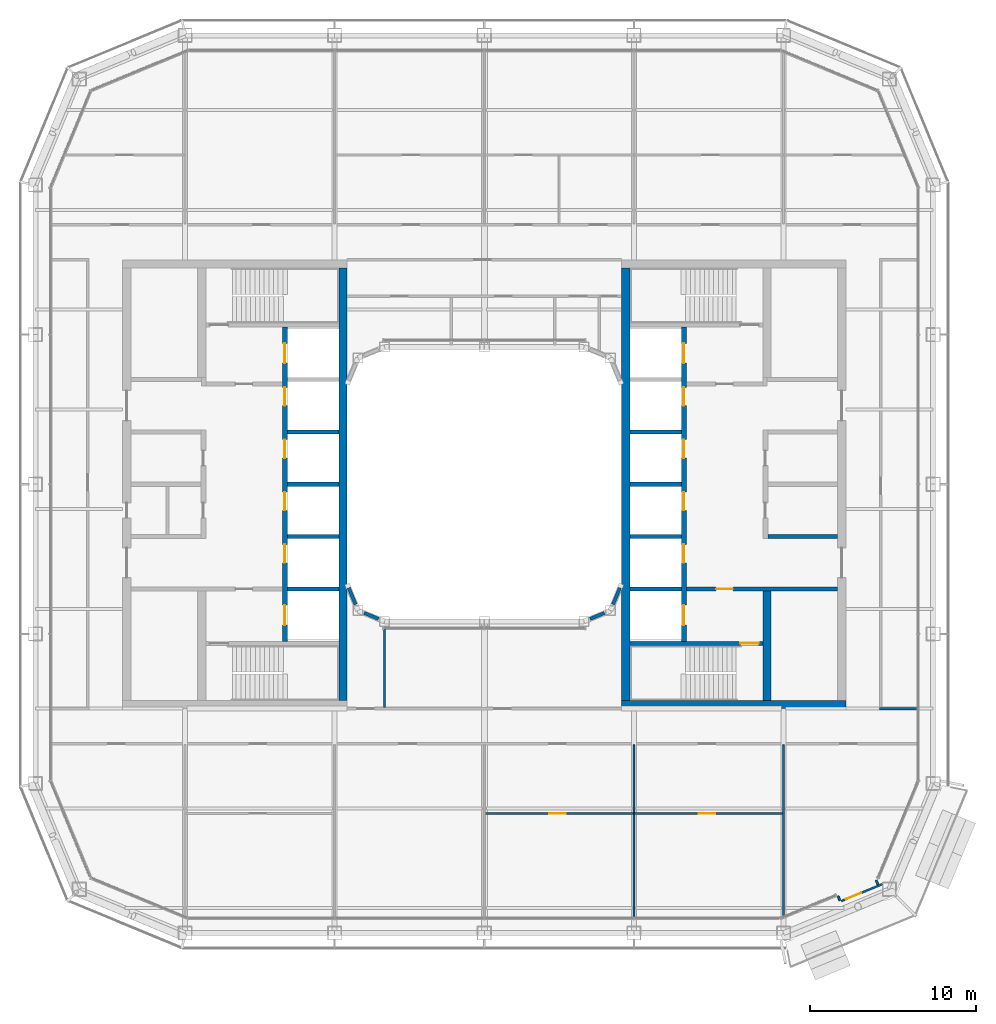
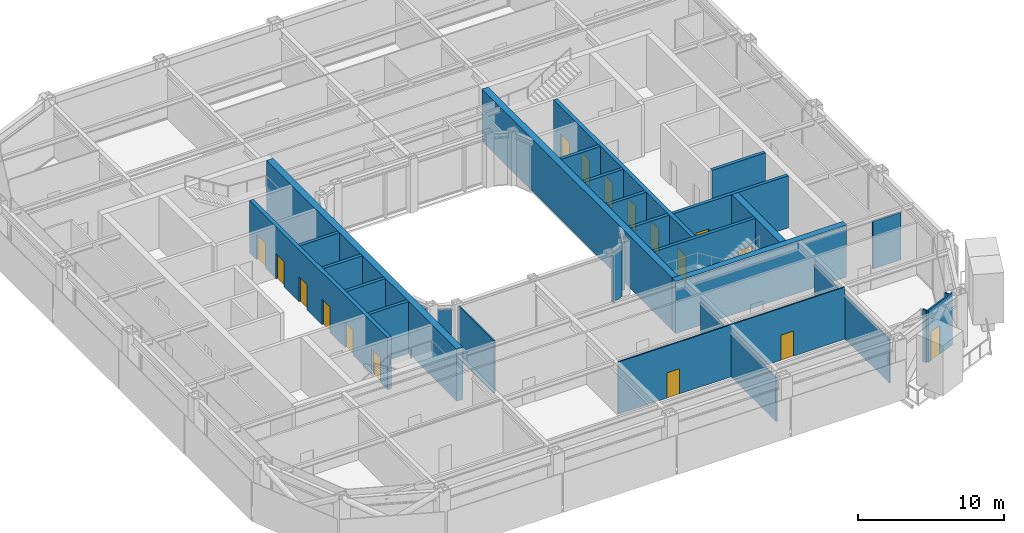
# One storey, part 13 of 22: 30 walls, 17 doors, 17 openings.
"""IFC4 building model written with IfcOpenShell, lengths in metres."""

from ifc_helpers import new_model, si_unit, direction, frame, frame_2d, origin, place, context, subcontext, project, spatial, rectangle, extrude, material, layer, layer_set, type_object, element, fill, save


model = new_model("IFC4")

# Units and contexts
model_context = context("Model", 3, precision=1e-05, world=origin(), true_north=direction((0.0, 1.0)))
body_context = subcontext(model_context, "Body", "Model", "MODEL_VIEW")
ifc_project = project(units=[si_unit("LENGTHUNIT", "METRE"), si_unit("AREAUNIT", "SQUARE_METRE"), si_unit("VOLUMEUNIT", "CUBIC_METRE"), si_unit("PLANEANGLEUNIT", "RADIAN"), si_unit("MASSUNIT", "GRAM", prefix="KILO")], contexts=[model_context])

# Site, building, storey
site_placement = place(None, origin())
site = spatial("IfcSite", under=ifc_project, at=site_placement, CompositionType="ELEMENT")
building_placement = place(site_placement, origin())
building = spatial("IfcBuilding", under=site, at=building_placement, Name="Siwar Civic Tower", CompositionType="ELEMENT")
storey_placement = place(building_placement, frame((0.0, 0.0, 201.699951171875)))
storey = spatial("IfcBuildingStorey", under=building, at=storey_placement, Name="L43", CompositionType="ELEMENT", Elevation=201.699951171875)

# Walls
ifc_material_1 = material(Name="Concrete C60/75", Category="concrete")
ifc_layer_1 = layer(ifc_material_1, 0.25)
ifc_layer_set_1 = layer_set([ifc_layer_1], Name="Concrete C60/75")
wall_type_1 = type_object("IfcWallType", Name="CORE-WALL-RC250", PredefinedType="SHEAR", material=ifc_layer_set_1)
for number, where, z_axis, x_axis, name in (
    (1, (-8.75, 0.0, 0.0), (0.0, 0.0, 1.0), (-1.0, 0.0, 0.0), "Core wall W"),
    (2, (-8.75, 3.14990234375, 0.0), (0.0, 0.0, 1.0), (-1.0, 0.0, 0.0), "Core wall W"),
    (3, (-8.75, -3.14990234375, 0.0), (0.0, 0.0, 1.0), (-1.0, 0.0, 0.0), "Core wall W"),
    (4, (-8.75, -6.300048828125, 0.0), (0.0, 0.0, 1.0), (-1.0, 0.0, 0.0), "Core wall W"),
):
    element("IfcWall", number, at=place(storey_placement, frame(where, z_axis=z_axis, x_axis=x_axis)), inside=storey, type_object=wall_type_1, Name=name, PredefinedType="SHEAR", context=body_context, shape_type="SweptSolid", body=[
        extrude(rectangle(XDim=3.10009765625, YDim=0.25, at=frame_2d((1.550048828125, 0.0))), origin(), (0.0, 0.0, 1.0), 4.35009765625),
    ])

# Wall, opening, door
wall_1_placement = place(storey_placement, frame((12.14990234375, -6.300048828125, 0.0), z_axis=(0.0, 0.0, 1.0), x_axis=(1.0, 0.0, 0.0)))
wall_1 = element("IfcWall", 5, at=wall_1_placement, inside=storey, type_object=wall_type_1, Name="Core wall E", PredefinedType="SHEAR", context=body_context, shape_type="SweptSolid", body=[
    extrude(rectangle(XDim=9.10009765625, YDim=0.25, at=frame_2d((4.550048828125, 0.0))), origin(), (0.0, 0.0, 1.0), 4.35009765625),
])
opening_1_placement = place(wall_1_placement, frame((1.800048828125, 0.0, 0.0)))
opening_1 = element("IfcOpeningElement", 6, at=opening_1_placement, cuts=wall_1, Name="Opening L43-CE02", PredefinedType="OPENING", context=body_context, shape_type="SweptSolid", body=[
    extrude(rectangle(XDim=1.0, YDim=2.10009765625, at=frame_2d((0.5, 1.050048828125))), frame((0.0, 0.135009765625, 0.0), z_axis=(0.0, -1.0, 0.0), x_axis=(1.0, 0.0, 0.0)), (0.0, 0.0, 1.0), 0.27001953125),
])
ifc_material_2 = material(Name="Steel door leaf", Category="steel")
door_type_1 = type_object("IfcDoorType", Name="CORE-DOOR-FD30S", OperationType="SINGLE_SWING_LEFT", PredefinedType="DOOR", material=ifc_material_2)
door_1_placement = place(opening_1_placement, origin())
door_1 = element("IfcDoor", 7, at=door_1_placement, inside=storey, type_object=door_type_1, Name="Service lobby door L43-CE02", OperationType="SINGLE_SWING_LEFT", OverallHeight=2.10009765625, OverallWidth=1.0, PredefinedType="DOOR", context=body_context, shape_type="SweptSolid", body=[
    extrude(rectangle(XDim=1.0, YDim=2.10009765625, at=frame_2d((0.5, 1.050048828125))), frame((0.0, 0.02490234375, 0.0), z_axis=(0.0, -1.0, 0.0), x_axis=(1.0, 0.0, 0.0)), (0.0, 0.0, 1.0), 0.050048828125),
])
fill(opening_1, door_1)

# Walls
wall_2_placement = place(storey_placement, frame((17.050048828125, -3.14990234375, 0.0), z_axis=(0.0, 0.0, 1.0), x_axis=(1.0, 0.0, 0.0)))
element("IfcWall", 8, at=wall_2_placement, inside=storey, type_object=wall_type_1, Name="Core wall E", PredefinedType="SHEAR", context=body_context, shape_type="SweptSolid", body=[
    extrude(rectangle(XDim=4.199951171875, YDim=0.25, at=frame_2d((2.10009765625, 0.0))), origin(), (0.0, 0.0, 1.0), 4.35009765625),
])
for number, where, z_axis, x_axis, name in (
    (9, (8.75, 0.0, 0.0), (0.0, 0.0, 1.0), (1.0, 0.0, 0.0), "Core wall E"),
    (10, (8.75, 3.14990234375, 0.0), (0.0, 0.0, 1.0), (1.0, 0.0, 0.0), "Core wall E"),
    (11, (8.75, -3.14990234375, 0.0), (0.0, 0.0, 1.0), (1.0, 0.0, 0.0), "Core wall E"),
    (12, (8.75, -6.300048828125, 0.0), (0.0, 0.0, 1.0), (1.0, 0.0, 0.0), "Core wall E"),
):
    element("IfcWall", number, at=place(storey_placement, frame(where, z_axis=z_axis, x_axis=x_axis)), inside=storey, type_object=wall_type_1, Name=name, PredefinedType="SHEAR", context=body_context, shape_type="SweptSolid", body=[
        extrude(rectangle(XDim=3.10009765625, YDim=0.25, at=frame_2d((1.550048828125, 0.0))), origin(), (0.0, 0.0, 1.0), 4.35009765625),
    ])

# Wall, opening, door
wall_3_placement = place(storey_placement, frame((8.75, -9.574951171875, 0.0), z_axis=(0.0, 0.0, 1.0), x_axis=(1.0, 0.0, 0.0)))
wall_3 = element("IfcWall", 13, at=wall_3_placement, inside=storey, type_object=wall_type_1, Name="Core wall E", PredefinedType="SHEAR", context=body_context, shape_type="SweptSolid", body=[
    extrude(rectangle(XDim=8.0, YDim=0.25, at=frame_2d((4.0, 0.0))), origin(), (0.0, 0.0, 1.0), 4.35009765625),
])
opening_2_placement = place(wall_3_placement, frame((6.64990234375, 0.0, 0.0)))
opening_2 = element("IfcOpeningElement", 14, at=opening_2_placement, cuts=wall_3, Name="Opening L43-CE04", PredefinedType="OPENING", context=body_context, shape_type="SweptSolid", body=[
    extrude(rectangle(XDim=1.10009765625, YDim=2.10009765625, at=frame_2d((0.550048828125, 1.050048828125))), frame((0.0, 0.135009765625, 0.0), z_axis=(0.0, -1.0, 0.0), x_axis=(1.0, 0.0, 0.0)), (0.0, 0.0, 1.0), 0.27001953125),
])
ifc_material_3 = material(Name="Steel door leaf", Category="steel")
door_type_2 = type_object("IfcDoorType", Name="CORE-DOOR-FD60S", OperationType="SINGLE_SWING_LEFT", PredefinedType="DOOR", material=ifc_material_3)
door_2_placement = place(opening_2_placement, origin())
door_2 = element("IfcDoor", 15, at=door_2_placement, inside=storey, type_object=door_type_2, Name="Stair door L43-CE04", OperationType="SINGLE_SWING_RIGHT", OverallHeight=2.10009765625, OverallWidth=1.10009765625, PredefinedType="DOOR", context=body_context, shape_type="SweptSolid", body=[
    extrude(rectangle(XDim=1.10009765625, YDim=2.10009765625, at=frame_2d((0.550048828125, 1.050048828125))), frame((0.0, 0.02490234375, 0.0), z_axis=(0.0, -1.0, 0.0), x_axis=(1.0, 0.0, 0.0)), (0.0, 0.0, 1.0), 0.050048828125),
])
fill(opening_2, door_2)

# Wall, openings, doors
ifc_material_4 = material(Name="Concrete C60/75", Category="concrete")
ifc_layer_2 = layer(ifc_material_4, 0.300048828125)
ifc_layer_set_2 = layer_set([ifc_layer_2], Name="Concrete C60/75")
wall_type_2 = type_object("IfcWallType", Name="CORE-WALL-RC300", PredefinedType="SHEAR", material=ifc_layer_set_2)
wall_4_placement = place(storey_placement, frame((-12.0, -9.449951171875, 0.0), z_axis=(0.0, 0.0, 1.0), x_axis=(0.0, 1.0, 0.0)))
wall_4 = element("IfcWall", 16, at=wall_4_placement, inside=storey, type_object=wall_type_2, Name="Core wall W", PredefinedType="SHEAR", context=body_context, shape_type="SweptSolid", body=[
    extrude(rectangle(XDim=18.89990234375, YDim=0.300048828125, at=frame_2d((9.449951171875, 0.0))), origin(), (0.0, 0.0, 1.0), 4.35009765625),
])
opening_3_placement = place(wall_4_placement, frame((4.72509765625, 0.0, 0.0)))
opening_3 = element("IfcOpeningElement", 17, at=opening_3_placement, cuts=wall_4, Name="Opening L43-CW07", PredefinedType="OPENING", context=body_context, shape_type="SweptSolid", body=[
    extrude(rectangle(XDim=1.10009765625, YDim=2.10009765625, at=frame_2d((0.550048828125, 1.050048828125))), frame((0.0, 0.16015625, 0.0), z_axis=(0.0, -1.0, 0.0), x_axis=(1.0, 0.0, 0.0)), (0.0, 0.0, 1.0), 0.320068359375),
])
opening_4_placement = place(wall_4_placement, frame((7.875, 0.0, 0.0)))
opening_4 = element("IfcOpeningElement", 18, at=opening_4_placement, cuts=wall_4, Name="Opening L43-CW08", PredefinedType="OPENING", context=body_context, shape_type="SweptSolid", body=[
    extrude(rectangle(XDim=1.10009765625, YDim=2.10009765625, at=frame_2d((0.550048828125, 1.050048828125))), frame((0.0, 0.16015625, 0.0), z_axis=(0.0, -1.0, 0.0), x_axis=(1.0, 0.0, 0.0)), (0.0, 0.0, 1.0), 0.320068359375),
])
opening_5_placement = place(wall_4_placement, frame((11.02490234375, 0.0, 0.0)))
opening_5 = element("IfcOpeningElement", 19, at=opening_5_placement, cuts=wall_4, Name="Opening L43-CW09", PredefinedType="OPENING", context=body_context, shape_type="SweptSolid", body=[
    extrude(rectangle(XDim=1.10009765625, YDim=2.10009765625, at=frame_2d((0.550048828125, 1.050048828125))), frame((0.0, 0.16015625, 0.0), z_axis=(0.0, -1.0, 0.0), x_axis=(1.0, 0.0, 0.0)), (0.0, 0.0, 1.0), 0.320068359375),
])
opening_6_placement = place(wall_4_placement, frame((14.175048828125, 0.0, 0.0)))
opening_6 = element("IfcOpeningElement", 20, at=opening_6_placement, cuts=wall_4, Name="Opening L43-CW10", PredefinedType="OPENING", context=body_context, shape_type="SweptSolid", body=[
    extrude(rectangle(XDim=1.10009765625, YDim=2.10009765625, at=frame_2d((0.550048828125, 1.050048828125))), frame((0.0, 0.16015625, 0.0), z_axis=(0.0, -1.0, 0.0), x_axis=(1.0, 0.0, 0.0)), (0.0, 0.0, 1.0), 0.320068359375),
])
opening_7_placement = place(wall_4_placement, frame((16.72509765625, 0.0, 0.0)))
opening_7 = element("IfcOpeningElement", 21, at=opening_7_placement, cuts=wall_4, Name="Opening L43-CW11", PredefinedType="OPENING", context=body_context, shape_type="SweptSolid", body=[
    extrude(rectangle(XDim=1.199951171875, YDim=2.10009765625, at=frame_2d((0.60009765625, 1.050048828125))), frame((0.0, 0.16015625, 0.0), z_axis=(0.0, -1.0, 0.0), x_axis=(1.0, 0.0, 0.0)), (0.0, 0.0, 1.0), 0.320068359375),
])
opening_8_placement = place(wall_4_placement, frame((0.97509765625, 0.0, 0.0)))
opening_8 = element("IfcOpeningElement", 22, at=opening_8_placement, cuts=wall_4, Name="Opening L43-CW12", PredefinedType="OPENING", context=body_context, shape_type="SweptSolid", body=[
    extrude(rectangle(XDim=1.199951171875, YDim=2.10009765625, at=frame_2d((0.60009765625, 1.050048828125))), frame((0.0, 0.16015625, 0.0), z_axis=(0.0, -1.0, 0.0), x_axis=(1.0, 0.0, 0.0)), (0.0, 0.0, 1.0), 0.320068359375),
])
ifc_material_5 = material(Name="Steel door leaf", Category="steel")
door_type_3 = type_object("IfcDoorType", Name="CORE-DOOR-LD", OperationType="DOUBLE_DOOR_SLIDING", PredefinedType="DOOR", material=ifc_material_5)
door_3_placement = place(opening_3_placement, origin())
door_3 = element("IfcDoor", 23, at=door_3_placement, inside=storey, type_object=door_type_3, Name="Landing door HR1 L43-CW07", OperationType="DOUBLE_DOOR_SLIDING", OverallHeight=2.10009765625, OverallWidth=1.10009765625, PredefinedType="DOOR", context=body_context, shape_type="SweptSolid", body=[
    extrude(rectangle(XDim=1.10009765625, YDim=2.10009765625, at=frame_2d((0.550048828125, 1.050048828125))), frame((0.0, 0.02490234375, 0.0), z_axis=(0.0, -1.0, 0.0), x_axis=(1.0, 0.0, 0.0)), (0.0, 0.0, 1.0), 0.050048828125),
])
fill(opening_3, door_3)
door_4_placement = place(opening_4_placement, origin())
door_4 = element("IfcDoor", 24, at=door_4_placement, inside=storey, type_object=door_type_3, Name="Landing door HR2 L43-CW08", OperationType="DOUBLE_DOOR_SLIDING", OverallHeight=2.10009765625, OverallWidth=1.10009765625, PredefinedType="DOOR", context=body_context, shape_type="SweptSolid", body=[
    extrude(rectangle(XDim=1.10009765625, YDim=2.10009765625, at=frame_2d((0.550048828125, 1.050048828125))), frame((0.0, 0.02490234375, 0.0), z_axis=(0.0, -1.0, 0.0), x_axis=(1.0, 0.0, 0.0)), (0.0, 0.0, 1.0), 0.050048828125),
])
fill(opening_4, door_4)
door_5_placement = place(opening_5_placement, origin())
door_5 = element("IfcDoor", 25, at=door_5_placement, inside=storey, type_object=door_type_3, Name="Landing door HR3 L43-CW09", OperationType="DOUBLE_DOOR_SLIDING", OverallHeight=2.10009765625, OverallWidth=1.10009765625, PredefinedType="DOOR", context=body_context, shape_type="SweptSolid", body=[
    extrude(rectangle(XDim=1.10009765625, YDim=2.10009765625, at=frame_2d((0.550048828125, 1.050048828125))), frame((0.0, 0.02490234375, 0.0), z_axis=(0.0, -1.0, 0.0), x_axis=(1.0, 0.0, 0.0)), (0.0, 0.0, 1.0), 0.050048828125),
])
fill(opening_5, door_5)
door_6_placement = place(opening_6_placement, origin())
door_6 = element("IfcDoor", 26, at=door_6_placement, inside=storey, type_object=door_type_3, Name="Landing door HR4 L43-CW10", OperationType="DOUBLE_DOOR_SLIDING", OverallHeight=2.10009765625, OverallWidth=1.10009765625, PredefinedType="DOOR", context=body_context, shape_type="SweptSolid", body=[
    extrude(rectangle(XDim=1.10009765625, YDim=2.10009765625, at=frame_2d((0.550048828125, 1.050048828125))), frame((0.0, 0.02490234375, 0.0), z_axis=(0.0, -1.0, 0.0), x_axis=(1.0, 0.0, 0.0)), (0.0, 0.0, 1.0), 0.050048828125),
])
fill(opening_6, door_6)
ifc_material_6 = material(Name="Steel door leaf", Category="steel")
door_type_4 = type_object("IfcDoorType", Name="CORE-DOOR-LDW", OperationType="DOUBLE_DOOR_SLIDING", PredefinedType="DOOR", material=ifc_material_6)
door_7_placement = place(opening_7_placement, origin())
door_7 = element("IfcDoor", 27, at=door_7_placement, inside=storey, type_object=door_type_4, Name="Landing door FF1 L43-CW11", OperationType="DOUBLE_DOOR_SLIDING", OverallHeight=2.10009765625, OverallWidth=1.199951171875, PredefinedType="DOOR", context=body_context, shape_type="SweptSolid", body=[
    extrude(rectangle(XDim=1.199951171875, YDim=2.10009765625, at=frame_2d((0.60009765625, 1.050048828125))), frame((0.0, 0.02490234375, 0.0), z_axis=(0.0, -1.0, 0.0), x_axis=(1.0, 0.0, 0.0)), (0.0, 0.0, 1.0), 0.050048828125),
])
fill(opening_7, door_7)
door_8_placement = place(opening_8_placement, origin())
door_8 = element("IfcDoor", 28, at=door_8_placement, inside=storey, type_object=door_type_4, Name="Landing door SV1 L43-CW12", OperationType="DOUBLE_DOOR_SLIDING", OverallHeight=2.10009765625, OverallWidth=1.199951171875, PredefinedType="DOOR", context=body_context, shape_type="SweptSolid", body=[
    extrude(rectangle(XDim=1.199951171875, YDim=2.10009765625, at=frame_2d((0.60009765625, 1.050048828125))), frame((0.0, 0.02490234375, 0.0), z_axis=(0.0, -1.0, 0.0), x_axis=(1.0, 0.0, 0.0)), (0.0, 0.0, 1.0), 0.050048828125),
])
fill(opening_8, door_8)

wall_5_placement = place(storey_placement, frame((12.0, -9.449951171875, 0.0), z_axis=(0.0, 0.0, 1.0), x_axis=(0.0, 1.0, 0.0)))
wall_5 = element("IfcWall", 29, at=wall_5_placement, inside=storey, type_object=wall_type_2, Name="Core wall E", PredefinedType="SHEAR", context=body_context, shape_type="SweptSolid", body=[
    extrude(rectangle(XDim=18.89990234375, YDim=0.300048828125, at=frame_2d((9.449951171875, 0.0))), origin(), (0.0, 0.0, 1.0), 4.35009765625),
])
opening_9_placement = place(wall_5_placement, frame((4.72509765625, 0.0, 0.0)))
opening_9 = element("IfcOpeningElement", 30, at=opening_9_placement, cuts=wall_5, Name="Opening L43-CE07", PredefinedType="OPENING", context=body_context, shape_type="SweptSolid", body=[
    extrude(rectangle(XDim=1.10009765625, YDim=2.10009765625, at=frame_2d((0.550048828125, 1.050048828125))), frame((0.0, 0.16015625, 0.0), z_axis=(0.0, -1.0, 0.0), x_axis=(1.0, 0.0, 0.0)), (0.0, 0.0, 1.0), 0.320068359375),
])
opening_10_placement = place(wall_5_placement, frame((7.875, 0.0, 0.0)))
opening_10 = element("IfcOpeningElement", 31, at=opening_10_placement, cuts=wall_5, Name="Opening L43-CE08", PredefinedType="OPENING", context=body_context, shape_type="SweptSolid", body=[
    extrude(rectangle(XDim=1.10009765625, YDim=2.10009765625, at=frame_2d((0.550048828125, 1.050048828125))), frame((0.0, 0.16015625, 0.0), z_axis=(0.0, -1.0, 0.0), x_axis=(1.0, 0.0, 0.0)), (0.0, 0.0, 1.0), 0.320068359375),
])
opening_11_placement = place(wall_5_placement, frame((11.02490234375, 0.0, 0.0)))
opening_11 = element("IfcOpeningElement", 32, at=opening_11_placement, cuts=wall_5, Name="Opening L43-CE09", PredefinedType="OPENING", context=body_context, shape_type="SweptSolid", body=[
    extrude(rectangle(XDim=1.10009765625, YDim=2.10009765625, at=frame_2d((0.550048828125, 1.050048828125))), frame((0.0, 0.16015625, 0.0), z_axis=(0.0, -1.0, 0.0), x_axis=(1.0, 0.0, 0.0)), (0.0, 0.0, 1.0), 0.320068359375),
])
opening_12_placement = place(wall_5_placement, frame((14.175048828125, 0.0, 0.0)))
opening_12 = element("IfcOpeningElement", 33, at=opening_12_placement, cuts=wall_5, Name="Opening L43-CE10", PredefinedType="OPENING", context=body_context, shape_type="SweptSolid", body=[
    extrude(rectangle(XDim=1.10009765625, YDim=2.10009765625, at=frame_2d((0.550048828125, 1.050048828125))), frame((0.0, 0.16015625, 0.0), z_axis=(0.0, -1.0, 0.0), x_axis=(1.0, 0.0, 0.0)), (0.0, 0.0, 1.0), 0.320068359375),
])
opening_13_placement = place(wall_5_placement, frame((16.72509765625, 0.0, 0.0)))
opening_13 = element("IfcOpeningElement", 34, at=opening_13_placement, cuts=wall_5, Name="Opening L43-CE11", PredefinedType="OPENING", context=body_context, shape_type="SweptSolid", body=[
    extrude(rectangle(XDim=1.199951171875, YDim=2.10009765625, at=frame_2d((0.60009765625, 1.050048828125))), frame((0.0, 0.16015625, 0.0), z_axis=(0.0, -1.0, 0.0), x_axis=(1.0, 0.0, 0.0)), (0.0, 0.0, 1.0), 0.320068359375),
])
opening_14_placement = place(wall_5_placement, frame((0.97509765625, 0.0, 0.0)))
opening_14 = element("IfcOpeningElement", 35, at=opening_14_placement, cuts=wall_5, Name="Opening L43-CE12", PredefinedType="OPENING", context=body_context, shape_type="SweptSolid", body=[
    extrude(rectangle(XDim=1.199951171875, YDim=2.10009765625, at=frame_2d((0.60009765625, 1.050048828125))), frame((0.0, 0.16015625, 0.0), z_axis=(0.0, -1.0, 0.0), x_axis=(1.0, 0.0, 0.0)), (0.0, 0.0, 1.0), 0.320068359375),
])
door_9_placement = place(opening_9_placement, origin())
door_9 = element("IfcDoor", 36, at=door_9_placement, inside=storey, type_object=door_type_3, Name="Landing door HR5 L43-CE07", OperationType="DOUBLE_DOOR_SLIDING", OverallHeight=2.10009765625, OverallWidth=1.10009765625, PredefinedType="DOOR", context=body_context, shape_type="SweptSolid", body=[
    extrude(rectangle(XDim=1.10009765625, YDim=2.10009765625, at=frame_2d((0.550048828125, 1.050048828125))), frame((0.0, 0.02490234375, 0.0), z_axis=(0.0, -1.0, 0.0), x_axis=(1.0, 0.0, 0.0)), (0.0, 0.0, 1.0), 0.050048828125),
])
fill(opening_9, door_9)
door_10_placement = place(opening_10_placement, origin())
door_10 = element("IfcDoor", 37, at=door_10_placement, inside=storey, type_object=door_type_3, Name="Landing door HR6 L43-CE08", OperationType="DOUBLE_DOOR_SLIDING", OverallHeight=2.10009765625, OverallWidth=1.10009765625, PredefinedType="DOOR", context=body_context, shape_type="SweptSolid", body=[
    extrude(rectangle(XDim=1.10009765625, YDim=2.10009765625, at=frame_2d((0.550048828125, 1.050048828125))), frame((0.0, 0.02490234375, 0.0), z_axis=(0.0, -1.0, 0.0), x_axis=(1.0, 0.0, 0.0)), (0.0, 0.0, 1.0), 0.050048828125),
])
fill(opening_10, door_10)
door_11_placement = place(opening_11_placement, origin())
door_11 = element("IfcDoor", 38, at=door_11_placement, inside=storey, type_object=door_type_3, Name="Landing door HR7 L43-CE09", OperationType="DOUBLE_DOOR_SLIDING", OverallHeight=2.10009765625, OverallWidth=1.10009765625, PredefinedType="DOOR", context=body_context, shape_type="SweptSolid", body=[
    extrude(rectangle(XDim=1.10009765625, YDim=2.10009765625, at=frame_2d((0.550048828125, 1.050048828125))), frame((0.0, 0.02490234375, 0.0), z_axis=(0.0, -1.0, 0.0), x_axis=(1.0, 0.0, 0.0)), (0.0, 0.0, 1.0), 0.050048828125),
])
fill(opening_11, door_11)
door_12_placement = place(opening_12_placement, origin())
door_12 = element("IfcDoor", 39, at=door_12_placement, inside=storey, type_object=door_type_3, Name="Landing door HR8 L43-CE10", OperationType="DOUBLE_DOOR_SLIDING", OverallHeight=2.10009765625, OverallWidth=1.10009765625, PredefinedType="DOOR", context=body_context, shape_type="SweptSolid", body=[
    extrude(rectangle(XDim=1.10009765625, YDim=2.10009765625, at=frame_2d((0.550048828125, 1.050048828125))), frame((0.0, 0.02490234375, 0.0), z_axis=(0.0, -1.0, 0.0), x_axis=(1.0, 0.0, 0.0)), (0.0, 0.0, 1.0), 0.050048828125),
])
fill(opening_12, door_12)
door_13_placement = place(opening_13_placement, origin())
door_13 = element("IfcDoor", 40, at=door_13_placement, inside=storey, type_object=door_type_4, Name="Landing door FF2 L43-CE11", OperationType="DOUBLE_DOOR_SLIDING", OverallHeight=2.10009765625, OverallWidth=1.199951171875, PredefinedType="DOOR", context=body_context, shape_type="SweptSolid", body=[
    extrude(rectangle(XDim=1.199951171875, YDim=2.10009765625, at=frame_2d((0.60009765625, 1.050048828125))), frame((0.0, 0.02490234375, 0.0), z_axis=(0.0, -1.0, 0.0), x_axis=(1.0, 0.0, 0.0)), (0.0, 0.0, 1.0), 0.050048828125),
])
fill(opening_13, door_13)
door_14_placement = place(opening_14_placement, origin())
door_14 = element("IfcDoor", 41, at=door_14_placement, inside=storey, type_object=door_type_4, Name="Landing door SV2 L43-CE12", OperationType="DOUBLE_DOOR_SLIDING", OverallHeight=2.10009765625, OverallWidth=1.199951171875, PredefinedType="DOOR", context=body_context, shape_type="SweptSolid", body=[
    extrude(rectangle(XDim=1.199951171875, YDim=2.10009765625, at=frame_2d((0.60009765625, 1.050048828125))), frame((0.0, 0.02490234375, 0.0), z_axis=(0.0, -1.0, 0.0), x_axis=(1.0, 0.0, 0.0)), (0.0, 0.0, 1.0), 0.050048828125),
])
fill(opening_14, door_14)

# Walls
ifc_material_7 = material(Name="Concrete C60/75", Category="concrete")
ifc_layer_3 = layer(ifc_material_7, 0.5)
ifc_layer_set_3 = layer_set([ifc_layer_3], Name="Concrete C60/75")
wall_type_3 = type_object("IfcWallType", Name="CORE-WALL-RC500", PredefinedType="SHEAR", material=ifc_layer_set_3)
wall_6_placement = place(storey_placement, frame((17.0, -13.0, 0.0), z_axis=(0.0, 0.0, 1.0), x_axis=(0.0, 1.0, 0.0)))
element("IfcWall", 42, at=wall_6_placement, inside=storey, type_object=wall_type_3, Name="Core wall E", PredefinedType="SHEAR", context=body_context, shape_type="SweptSolid", body=[
    extrude(rectangle(XDim=6.574951171875, YDim=0.5, at=frame_2d((3.28759765625, 0.0))), origin(), (0.0, 0.0, 1.0), 4.35009765625),
])
wall_7_placement = place(storey_placement, frame((8.25, -13.25, 0.0), z_axis=(0.0, 0.0, 1.0), x_axis=(1.0, 0.0, 0.0)))
element("IfcWall", 43, at=wall_7_placement, inside=storey, type_object=wall_type_3, Name="Core wall E", PredefinedType="SHEAR", context=body_context, shape_type="SweptSolid", body=[
    extrude(rectangle(XDim=13.5, YDim=0.5, at=frame_2d((6.75, 0.0))), origin(), (0.0, 0.0, 1.0), 4.35009765625),
])
ifc_material_8 = material(Name="Concrete C60/75", Category="concrete")
ifc_layer_4 = layer(ifc_material_8, 0.5)
ifc_layer_set_4 = layer_set([ifc_layer_4], Name="Concrete C60/75")
wall_type_4 = type_object("IfcWallType", Name="CORE-WALL-RC500-EXT", PredefinedType="SHEAR", material=ifc_layer_set_4)
for number, where, z_axis, x_axis, name in (
    (44, (-8.5, -13.0, 0.0), (0.0, 0.0, 1.0), (0.0, 1.0, 0.0), "Core wall W"),
    (45, (8.5, -13.0, 0.0), (0.0, 0.0, 1.0), (0.0, 1.0, 0.0), "Core wall E"),
):
    element("IfcWall", number, at=place(storey_placement, frame(where, z_axis=z_axis, x_axis=x_axis)), inside=storey, type_object=wall_type_4, Name=name, PredefinedType="SHEAR", context=body_context, shape_type="SweptSolid", body=[
        extrude(rectangle(XDim=26.0, YDim=0.5, at=frame_2d((13.0, 0.0))), origin(), (0.0, 0.0, 1.0), 4.35009765625),
    ])
ifc_material_9 = material(Name="Gypsum board on steel studs", Category="steel")
ifc_layer_5 = layer(ifc_material_9, 0.14990234375)
ifc_layer_set_5 = layer_set([ifc_layer_5], Name="Gypsum board on steel studs")
wall_type_5 = type_object("IfcWallType", Name="CORRIDOR PARTITION 150 EI 30", PredefinedType="PARTITIONING", material=ifc_layer_set_5)
wall_8_placement = place(storey_placement, frame((23.77490234375, -13.5, 0.0), z_axis=(0.0, 0.0, 1.0), x_axis=(1.0, 0.0, 0.0)))
element("IfcWall", 46, at=wall_8_placement, inside=storey, type_object=wall_type_5, Name="L43/wall/P06", PredefinedType="PARTITIONING", context=body_context, shape_type="SweptSolid", body=[
    extrude(rectangle(XDim=2.235107421875, YDim=0.14990234375, at=frame_2d((1.11767578125, 0.0))), origin(), (0.0, 0.0, 1.0), 3.949951171875),
])
ifc_material_10 = material(Name="Aluminium clad insulated panel", Category="aluminium")
ifc_layer_6 = layer(ifc_material_10, 0.1201171875)
ifc_layer_set_6 = layer_set([ifc_layer_6], Name="Aluminium clad insulated panel")
wall_type_6 = type_object("IfcWallType", Name="ENV-WALL-BAL", PredefinedType="STANDARD", material=ifc_layer_set_6)
wall_9_placement = place(storey_placement, frame((21.27587890625, -24.766357421875, 0.0), z_axis=(0.0, 0.0, 1.0), x_axis=(0.382591441855, -0.923917630863, 0.0)))
element("IfcWall", 47, at=wall_9_placement, inside=storey, type_object=wall_type_6, Name="Balcony door wall return SE1", PredefinedType="STANDARD", context=body_context, shape_type="SweptSolid", body=[
    extrude(rectangle(XDim=0.2998046875, YDim=0.1201171875, at=frame_2d((0.14990234375, 0.0))), origin(), (0.0, 0.0, 1.0), 4.35009765625),
])
wall_10_placement = place(storey_placement, frame((23.56640625, -23.817626953125, 0.0), z_axis=(0.0, 0.0, 1.0), x_axis=(0.383285987724, -0.923629715641, 0.0)))
element("IfcWall", 48, at=wall_10_placement, inside=storey, type_object=wall_type_6, Name="Balcony door wall return SE1", PredefinedType="STANDARD", context=body_context, shape_type="SweptSolid", body=[
    extrude(rectangle(XDim=0.300048828125, YDim=0.1201171875, at=frame_2d((0.14990234375, 0.0))), origin(), (0.0, 0.0, 1.0), 4.35009765625),
])

# Wall, opening, door
wall_11_placement = place(storey_placement, frame((21.468994140625, -25.075927734375, 0.0), z_axis=(0.0, 0.0, 1.0), x_axis=(0.923898858671, 0.382636771556, 0.0)))
wall_11 = element("IfcWall", 49, at=wall_11_placement, inside=storey, type_object=wall_type_6, Name="Balcony door wall SE1", PredefinedType="STANDARD", context=body_context, shape_type="SweptSolid", body=[
    extrude(rectangle(XDim=2.67333984375, YDim=0.1201171875, at=frame_2d((1.336669921875, 0.0))), origin(), (0.0, 0.0, 1.0), 4.35009765625),
])
opening_15_placement = place(wall_11_placement, frame((0.300048828125, 0.0, 0.0)))
opening_15 = element("IfcOpeningElement", 50, at=opening_15_placement, cuts=wall_11, Name="Opening D-BAL", PredefinedType="OPENING", context=body_context, shape_type="SweptSolid", body=[
    extrude(rectangle(XDim=1.0, YDim=2.39990234375, at=frame_2d((0.5, 1.199951171875))), frame((0.0, 0.070068359375, 0.0), z_axis=(0.0, -1.0, 0.0), x_axis=(1.0, 0.0, 0.0)), (0.0, 0.0, 1.0), 0.14013671875),
])
ifc_material_11 = material(Name="Aluminium and glass", Category="aluminium")
door_type_5 = type_object("IfcDoorType", Name="ENV-DOOR-BAL", OperationType="SINGLE_SWING_LEFT", PredefinedType="DOOR", material=ifc_material_11)
door_15_placement = place(opening_15_placement, origin())
door_15 = element("IfcDoor", 51, at=door_15_placement, inside=storey, type_object=door_type_5, Name="Balcony door SE", OperationType="SINGLE_SWING_LEFT", OverallHeight=2.39990234375, OverallWidth=1.0, PredefinedType="DOOR", context=body_context, shape_type="SweptSolid", body=[
    extrude(rectangle(XDim=1.0, YDim=2.39990234375, at=frame_2d((0.5, 1.199951171875))), frame((0.0, 0.02490234375, 0.0), z_axis=(0.0, -1.0, 0.0), x_axis=(1.0, 0.0, 0.0)), (0.0, 0.0, 1.0), 0.050048828125),
])
fill(opening_15, door_15)

# Walls
ifc_material_12 = material(Name="Aluminium clad insulated panel", Category="aluminium")
ifc_layer_7 = layer(ifc_material_12, 0.199951171875)
ifc_layer_set_7 = layer_set([ifc_layer_7], Name="Aluminium clad insulated panel")
wall_type_7 = type_object("IfcWallType", Name="ENV-WALL-WELL", PredefinedType="STANDARD", material=ifc_layer_set_7)
wall_12_placement = place(storey_placement, frame((6.362060546875, -8.10009765625, 0.0), z_axis=(0.0, 0.0, 1.0), x_axis=(0.923829670615, 0.382803787458, 0.0)))
element("IfcWall", 52, at=wall_12_placement, inside=storey, type_object=wall_type_7, Name="Light well corner wall SE1", PredefinedType="STANDARD", context=body_context, shape_type="SweptSolid", body=[
    extrude(rectangle(XDim=0.938232421875, YDim=0.199951171875, at=frame_2d((0.46923828125, 0.0))), origin(), (0.0, 0.0, 1.0), 3.91796875),
])
for number, where, z_axis, x_axis, name in (
    (53, (7.740966796875, -7.228759765625, 0.0), (0.0, 0.0, 1.0), (0.382704496366, 0.923870807235, 0.0), "Light well corner wall SE2"),
    (54, (-8.154296875, -6.23095703125, 0.0), (0.0, 0.0, 1.0), (0.382704496366, -0.923870807235, 0.0), "Light well corner wall SW1"),
):
    element("IfcWall", number, at=place(storey_placement, frame(where, z_axis=z_axis, x_axis=x_axis)), inside=storey, type_object=wall_type_7, Name=name, PredefinedType="STANDARD", context=body_context, shape_type="SweptSolid", body=[
        extrude(rectangle(XDim=1.080078125, YDim=0.199951171875, at=frame_2d((0.5400390625, 0.0))), origin(), (0.0, 0.0, 1.0), 3.91796875),
    ])
wall_13_placement = place(storey_placement, frame((-7.228759765625, -7.740966796875, 0.0), z_axis=(0.0, 0.0, 1.0), x_axis=(0.923829670615, -0.382803787458, 0.0)))
element("IfcWall", 55, at=wall_13_placement, inside=storey, type_object=wall_type_7, Name="Light well corner wall SW2", PredefinedType="STANDARD", context=body_context, shape_type="SweptSolid", body=[
    extrude(rectangle(XDim=0.938232421875, YDim=0.199951171875, at=frame_2d((0.46923828125, 0.0))), origin(), (0.0, 0.0, 1.0), 3.91796875),
])

# Wall, openings, doors
ifc_material_13 = material(Name="Gypsum board on steel studs", Category="steel")
ifc_layer_8 = layer(ifc_material_13, 0.10009765625)
ifc_layer_set_8 = layer_set([ifc_layer_8], Name="Gypsum board on steel studs")
wall_type_8 = type_object("IfcWallType", Name="PARTITION 100 GYPSUM", PredefinedType="PARTITIONING", material=ifc_layer_set_8)
wall_14_placement = place(storey_placement, frame((0.050048828125, -19.800048828125, 0.0), z_axis=(0.0, 0.0, 1.0), x_axis=(1.0, 0.0, 0.0)))
wall_14 = element("IfcWall", 56, at=wall_14_placement, inside=storey, type_object=wall_type_8, Name="L43/wall/P02", PredefinedType="PARTITIONING", context=body_context, shape_type="SweptSolid", body=[
    extrude(rectangle(XDim=17.89990234375, YDim=0.10009765625, at=frame_2d((8.949951171875, 0.0))), origin(), (0.0, 0.0, 1.0), 4.35009765625),
])
opening_16_placement = place(wall_14_placement, frame((3.85009765625, 0.0, 0.0)))
opening_16 = element("IfcOpeningElement", 57, at=opening_16_placement, cuts=wall_14, Name="Opening D2", PredefinedType="OPENING", context=body_context, shape_type="SweptSolid", body=[
    extrude(rectangle(XDim=1.0, YDim=2.10009765625, at=frame_2d((0.5, 1.050048828125))), frame((0.0, 0.06005859375, 0.0), z_axis=(0.0, -1.0, 0.0), x_axis=(1.0, 0.0, 0.0)), (0.0, 0.0, 1.0), 0.1201171875),
])
opening_17_placement = place(wall_14_placement, frame((12.85009765625, 0.0, 0.0)))
opening_17 = element("IfcOpeningElement", 58, at=opening_17_placement, cuts=wall_14, Name="Opening D2", PredefinedType="OPENING", context=body_context, shape_type="SweptSolid", body=[
    extrude(rectangle(XDim=1.0, YDim=2.10009765625, at=frame_2d((0.5, 1.050048828125))), frame((0.0, 0.06005859375, 0.0), z_axis=(0.0, -1.0, 0.0), x_axis=(1.0, 0.0, 0.0)), (0.0, 0.0, 1.0), 0.1201171875),
])
ifc_material_14 = material(Name="Timber, painted", Category="wood")
door_type_6 = type_object("IfcDoorType", Name="DOOR 1000 X 2100", OperationType="SINGLE_SWING_LEFT", PredefinedType="DOOR", material=ifc_material_14)
door_16_placement = place(opening_16_placement, origin())
door_16 = element("IfcDoor", 59, at=door_16_placement, inside=storey, type_object=door_type_6, Name="L43-D13", OperationType="SINGLE_SWING_LEFT", OverallHeight=2.10009765625, OverallWidth=1.0, PredefinedType="DOOR", context=body_context, shape_type="SweptSolid", body=[
    extrude(rectangle(XDim=1.0, YDim=2.10009765625, at=frame_2d((0.5, 1.050048828125))), frame((0.0, 0.02490234375, 0.0), z_axis=(0.0, -1.0, 0.0), x_axis=(1.0, 0.0, 0.0)), (0.0, 0.0, 1.0), 0.050048828125),
])
fill(opening_16, door_16)
door_17_placement = place(opening_17_placement, origin())
door_17 = element("IfcDoor", 60, at=door_17_placement, inside=storey, type_object=door_type_6, Name="L43-D15", OperationType="SINGLE_SWING_LEFT", OverallHeight=2.10009765625, OverallWidth=1.0, PredefinedType="DOOR", context=body_context, shape_type="SweptSolid", body=[
    extrude(rectangle(XDim=1.0, YDim=2.10009765625, at=frame_2d((0.5, 1.050048828125))), frame((0.0, 0.02490234375, 0.0), z_axis=(0.0, -1.0, 0.0), x_axis=(1.0, 0.0, 0.0)), (0.0, 0.0, 1.0), 0.050048828125),
])
fill(opening_17, door_17)

# Walls
wall_15_placement = place(storey_placement, frame((-6.0, -13.425048828125, 0.0), z_axis=(0.0, 0.0, 1.0), x_axis=(0.0, 1.0, 0.0)))
element("IfcWall", 61, at=wall_15_placement, inside=storey, type_object=wall_type_8, Name="L43/wall/P20", PredefinedType="PARTITIONING", context=body_context, shape_type="SweptSolid", body=[
    extrude(rectangle(XDim=4.824951171875, YDim=0.10009765625, at=frame_2d((2.41259765625, 0.0))), origin(), (0.0, 0.0, 1.0), 4.35009765625),
])
wall_16_placement = place(storey_placement, frame((9.0, -26.010009765625, 0.0), z_axis=(0.0, 0.0, 1.0), x_axis=(0.0, 1.0, 0.0)))
element("IfcWall", 62, at=wall_16_placement, inside=storey, type_object=wall_type_8, Name="L43/wall/P28", PredefinedType="PARTITIONING", context=body_context, shape_type="SweptSolid", body=[
    extrude(rectangle(XDim=6.159912109375, YDim=0.10009765625, at=frame_2d((3.080078125, 0.0))), origin(), (0.0, 0.0, 1.0), 3.650146484375),
])
wall_17_placement = place(storey_placement, frame((9.0, -19.75, 0.0), z_axis=(0.0, 0.0, 1.0), x_axis=(0.0, 1.0, 0.0)))
element("IfcWall", 63, at=wall_17_placement, inside=storey, type_object=wall_type_8, Name="L43/wall/P29", PredefinedType="PARTITIONING", context=body_context, shape_type="SweptSolid", body=[
    extrude(rectangle(XDim=4.074951171875, YDim=0.10009765625, at=frame_2d((2.03759765625, 0.0))), origin(), (0.0, 0.0, 1.0), 3.650146484375),
])
wall_18_placement = place(storey_placement, frame((18.0, -25.927978515625, 0.0), z_axis=(0.0, 0.0, 1.0), x_axis=(0.0, 1.0, 0.0)))
element("IfcWall", 64, at=wall_18_placement, inside=storey, type_object=wall_type_8, Name="L43/wall/P32", PredefinedType="PARTITIONING", context=body_context, shape_type="SweptSolid", body=[
    extrude(rectangle(XDim=10.2529296875, YDim=0.10009765625, at=frame_2d((5.12646484375, 0.0))), origin(), (0.0, 0.0, 1.0), 3.650146484375),
])

save(model, "model.ifc")
